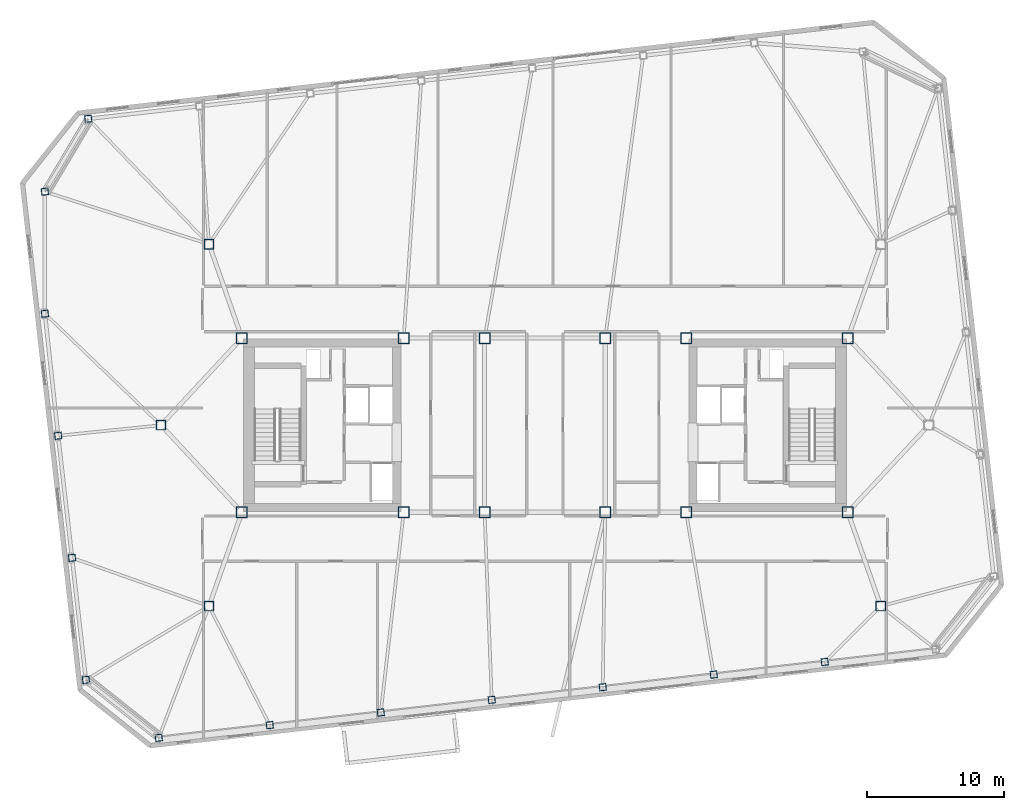
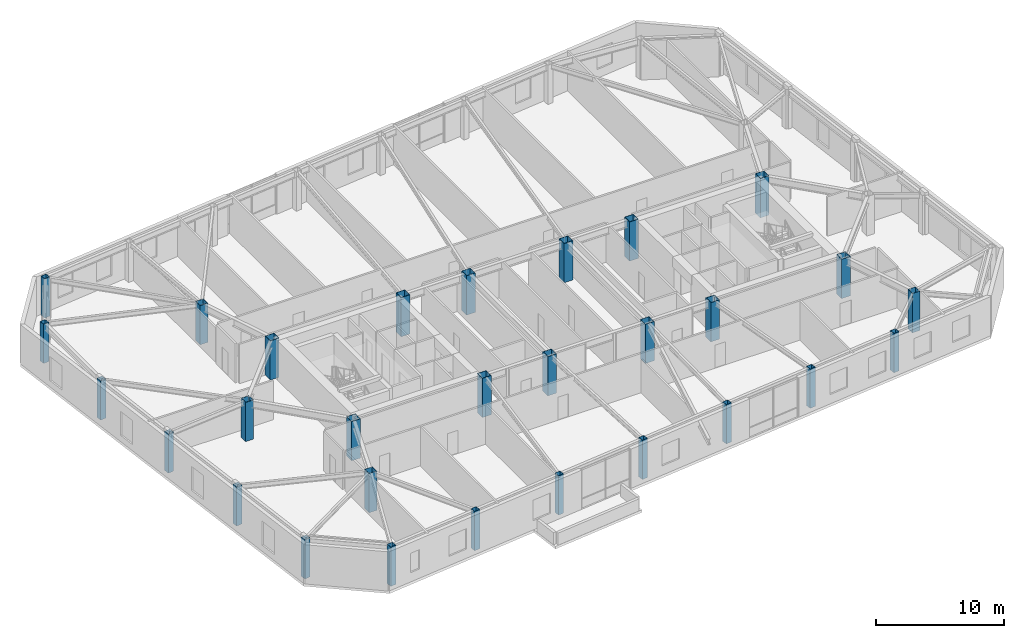
# One storey, part 1 of 18: 29 columns.
"""IFC4 building model written with IfcOpenShell, lengths in metres."""

from ifc_helpers import new_model, si_unit, direction, frame, origin, origin_2d, place, context, subcontext, project, spatial, hollow_rectangle, extrude, material, material_profile, profile_set, type_object, element, save


model = new_model("IFC4")

# Units and contexts
model_context = context("Model", 3, precision=1e-05, world=origin(), true_north=direction((0.0, 1.0)))
body_context = subcontext(model_context, "Body", "Model", "MODEL_VIEW")
ifc_project = project(units=[si_unit("LENGTHUNIT", "METRE"), si_unit("AREAUNIT", "SQUARE_METRE"), si_unit("VOLUMEUNIT", "CUBIC_METRE"), si_unit("PLANEANGLEUNIT", "RADIAN"), si_unit("MASSUNIT", "GRAM", prefix="KILO")], contexts=[model_context])

# Site, building, storey
site_placement = place(None, origin())
site = spatial("IfcSite", under=ifc_project, at=site_placement, CompositionType="ELEMENT")
building_placement = place(site_placement, origin())
building = spatial("IfcBuilding", under=site, at=building_placement, Name="Tavrogorsk Clinical Tower", CompositionType="ELEMENT")
storey_placement = place(building_placement, frame((0.0, 0.0, 230.199951171875)))
storey = spatial("IfcBuildingStorey", under=building, at=storey_placement, Name="L53", CompositionType="ELEMENT", Elevation=230.199951171875)

# Columns
ifc_material_1 = material(Name="Structural steel S440", Category="steel")
ifc_material_profile_1 = material_profile(ifc_material_1, hollow_rectangle(XDim=0.699951171875, YDim=0.699951171875, WallThickness=0.031982421875, at=origin_2d()), Name="BOX-700x700x32")
ifc_profile_set_1 = profile_set([ifc_material_profile_1], Name="Structural steel S440")
column_type_1 = type_object("IfcColumnType", Name="MegaCol_BOX700", PredefinedType="COLUMN", material=ifc_profile_set_1)
for number, where, z_axis, x_axis, name in (
    (1, (-24.5, -13.199951171875, 0.0), (0.0, 0.0, 1.0), (1.0, 0.0, 0.0), "L53 Spine Pilotis Column MC-P1"),
    (2, (24.5, -13.199951171875, 0.0), (0.0, 0.0, 1.0), (1.0, 0.0, 0.0), "L53 Spine Pilotis Column MC-P2"),
    (3, (-24.5, 13.199951171875, 0.0), (0.0, 0.0, 1.0), (1.0, 0.0, 0.0), "L53 Spine Pilotis Column MC-P3"),
    (4, (-28.0, 0.0, 0.0), (0.0, 0.0, 1.0), (1.0, 0.0, 0.0), "L53 Spine Pilotis Column MC-P5"),
):
    element("IfcColumn", number, at=place(storey_placement, frame(where, z_axis=z_axis, x_axis=x_axis)), inside=storey, type_object=column_type_1, Name=name, PredefinedType="COLUMN", context=body_context, shape_type="SweptSolid", body=[
        extrude(hollow_rectangle(XDim=0.699951171875, YDim=0.699951171875, WallThickness=0.031982421875, at=origin_2d()), origin(), (0.0, 0.0, 1.0), 3.739990234375),
    ])
ifc_material_2 = material(Name="Structural steel S440", Category="steel")
ifc_material_profile_2 = material_profile(ifc_material_2, hollow_rectangle(XDim=0.800048828125, YDim=0.800048828125, WallThickness=0.035888671875, at=origin_2d()), Name="BOX-800x800x36")
ifc_profile_set_2 = profile_set([ifc_material_profile_2], Name="Structural steel S440")
column_type_2 = type_object("IfcColumnType", Name="MegaCol_BOX800", PredefinedType="COLUMN", material=ifc_profile_set_2)
for number, where, z_axis, x_axis, name in (
    (5, (-22.10009765625, -6.35009765625, 0.0), (0.0, 0.0, 1.0), (1.0, 0.0, 0.0), "L53 Mega Column MC-W1"),
    (6, (-22.10009765625, 6.35009765625, 0.0), (0.0, 0.0, 1.0), (1.0, 0.0, 0.0), "L53 Mega Column MC-W2"),
    (7, (-10.300048828125, -6.35009765625, 0.0), (0.0, 0.0, 1.0), (1.0, 0.0, 0.0), "L53 Mega Column MC-W3"),
    (8, (-10.300048828125, 6.35009765625, 0.0), (0.0, 0.0, 1.0), (1.0, 0.0, 0.0), "L53 Mega Column MC-W4"),
    (9, (10.300048828125, -6.35009765625, 0.0), (0.0, 0.0, 1.0), (1.0, 0.0, 0.0), "L53 Mega Column MC-E1"),
    (10, (10.300048828125, 6.35009765625, 0.0), (0.0, 0.0, 1.0), (1.0, 0.0, 0.0), "L53 Mega Column MC-E2"),
    (11, (22.10009765625, -6.35009765625, 0.0), (0.0, 0.0, 1.0), (1.0, 0.0, 0.0), "L53 Mega Column MC-E3"),
    (12, (22.10009765625, 6.35009765625, 0.0), (0.0, 0.0, 1.0), (1.0, 0.0, 0.0), "L53 Mega Column MC-E4"),
    (13, (-4.39990234375, -6.35009765625, 0.0), (0.0, 0.0, 1.0), (1.0, 0.0, 0.0), "L53 Mega Column MC-C1"),
    (14, (4.39990234375, -6.35009765625, 0.0), (0.0, 0.0, 1.0), (1.0, 0.0, 0.0), "L53 Mega Column MC-C2"),
    (15, (-4.39990234375, 6.35009765625, 0.0), (0.0, 0.0, 1.0), (1.0, 0.0, 0.0), "L53 Mega Column MC-C3"),
    (16, (4.39990234375, 6.35009765625, 0.0), (0.0, 0.0, 1.0), (1.0, 0.0, 0.0), "L53 Mega Column MC-C4"),
):
    element("IfcColumn", number, at=place(storey_placement, frame(where, z_axis=z_axis, x_axis=x_axis)), inside=storey, type_object=column_type_2, Name=name, PredefinedType="COLUMN", context=body_context, shape_type="SweptSolid", body=[
        extrude(hollow_rectangle(XDim=0.800048828125, YDim=0.800048828125, WallThickness=0.035888671875, at=origin_2d()), origin(), (0.0, 0.0, 1.0), 3.739990234375),
    ])
ifc_material_3 = material(Name="Structural steel S440", Category="steel")
ifc_material_profile_3 = material_profile(ifc_material_3, hollow_rectangle(XDim=0.5, YDim=0.5, WallThickness=0.02490234375, at=origin_2d()), Name="BOX-500x500x25")
ifc_profile_set_3 = profile_set([ifc_material_profile_3], Name="Structural steel S440")
column_type_3 = type_object("IfcColumnType", Name="PerimCol_B4_BOX500", PredefinedType="COLUMN", material=ifc_profile_set_3)
for number, where, z_axis, x_axis, name in (
    (17, (-28.164794921875, -22.802490234375, 0.0), (0.0, 0.0, 1.0), (0.993571855677, 0.113203213768, 0.0), "L53 Perimeter Column S1"),
    (18, (-20.068603515625, -21.880126953125, 0.0), (0.0, 0.0, 1.0), (0.993571855677, 0.113203213768, 0.0), "L53 Perimeter Column S2"),
    (19, (-11.972412109375, -20.95751953125, 0.0), (0.0, 0.0, 1.0), (0.993571855677, 0.113203213768, 0.0), "L53 Perimeter Column S3"),
    (20, (-3.876220703125, -20.03515625, 0.0), (0.0, 0.0, 1.0), (0.993571855677, 0.113203213768, 0.0), "L53 Perimeter Column S4"),
    (21, (4.22021484375, -19.11279296875, 0.0), (0.0, 0.0, 1.0), (0.993571855677, 0.113203213768, 0.0), "L53 Perimeter Column S5"),
    (22, (12.31640625, -18.190185546875, 0.0), (0.0, 0.0, 1.0), (0.993571855677, 0.113203213768, 0.0), "L53 Perimeter Column S6"),
    (23, (20.412353515625, -17.267822265625, 0.0), (0.0, 0.0, 1.0), (0.993571855677, 0.113203213768, 0.0), "L53 Perimeter Column S7"),
    (24, (-33.30859375, 22.345458984375, 0.0), (0.0, 0.0, 1.0), (0.993571855677, 0.113203213768, 0.0), "L53 Perimeter Column N8"),
    (25, (-36.469970703125, 17.032958984375, 0.0), (0.0, 0.0, 1.0), (0.993571855677, 0.113203213768, 0.0), "L53 Perimeter Column W1"),
    (26, (-36.469970703125, 8.130615234375, 0.0), (0.0, 0.0, 1.0), (0.993571855677, 0.113203213768, 0.0), "L53 Perimeter Column W2"),
    (27, (-35.505859375, -0.77197265625, 0.0), (0.0, 0.0, 1.0), (0.993571855677, 0.113203213768, 0.0), "L53 Perimeter Column W3"),
    (28, (-34.491455078125, -9.67431640625, 0.0), (0.0, 0.0, 1.0), (0.993571855677, 0.113203213768, 0.0), "L53 Perimeter Column W4"),
    (29, (-33.477294921875, -18.57666015625, 0.0), (0.0, 0.0, 1.0), (0.993571855677, 0.113203213768, 0.0), "L53 Perimeter Column W5"),
):
    element("IfcColumn", number, at=place(storey_placement, frame(where, z_axis=z_axis, x_axis=x_axis)), inside=storey, type_object=column_type_3, Name=name, PredefinedType="COLUMN", context=body_context, shape_type="SweptSolid", body=[
        extrude(hollow_rectangle(XDim=0.5, YDim=0.5, WallThickness=0.02490234375, at=origin_2d()), origin(), (0.0, 0.0, 1.0), 3.739990234375),
    ])

save(model, "model.ifc")
